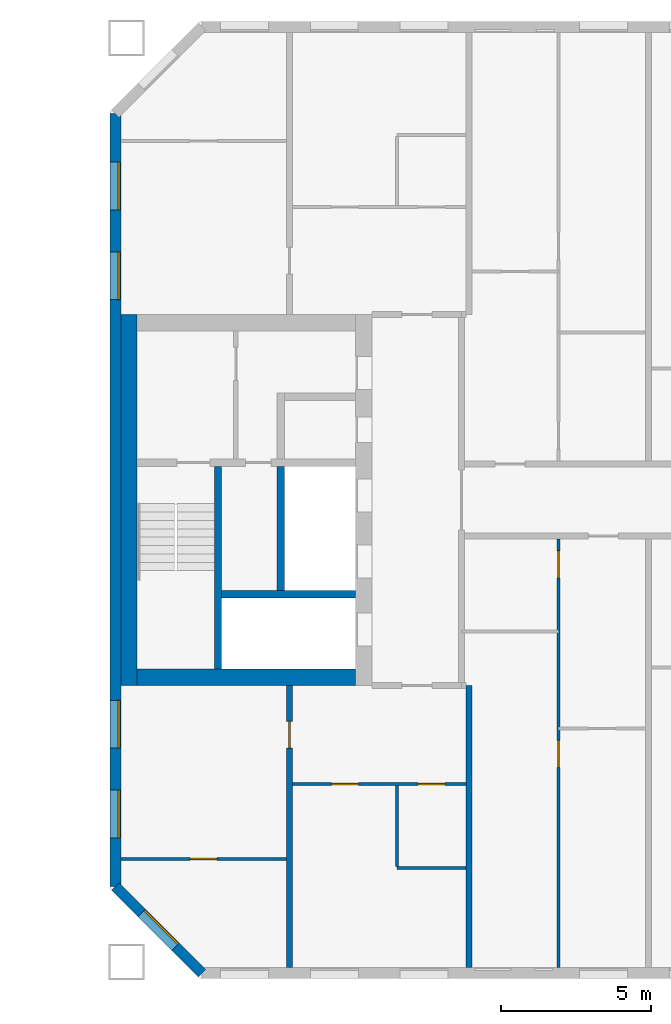
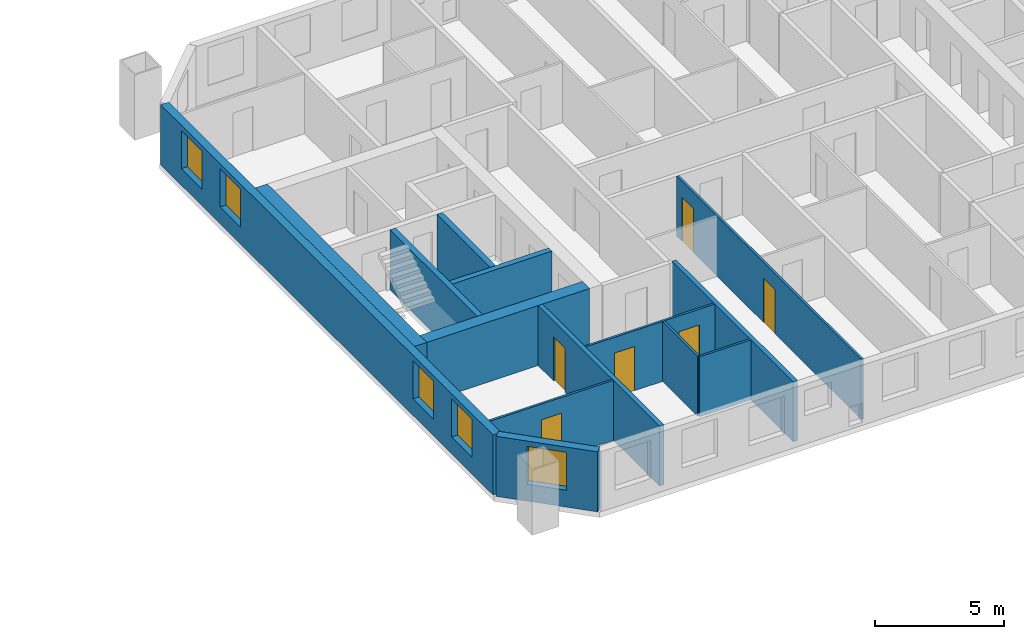
# One storey, part 9 of 16: 14 walls, 6 doors, 5 windows, 11 openings.
"""IFC4 building model written with IfcOpenShell, lengths in metres."""

from ifc_helpers import new_model, si_unit, direction, frame, frame_2d, origin, place, context, subcontext, project, spatial, rectangle, extrude, material, layer, layer_set, type_object, element, fill, save


model = new_model("IFC4")

# Units and contexts
model_context = context("Model", 3, precision=1e-05, world=origin(), true_north=direction((0.0, 1.0)))
body_context = subcontext(model_context, "Body", "Model", "MODEL_VIEW")
ifc_project = project(units=[si_unit("LENGTHUNIT", "METRE"), si_unit("AREAUNIT", "SQUARE_METRE"), si_unit("VOLUMEUNIT", "CUBIC_METRE"), si_unit("PLANEANGLEUNIT", "RADIAN"), si_unit("MASSUNIT", "GRAM", prefix="KILO")], contexts=[model_context])

# Site, building, storey
site_placement = place(None, origin())
site = spatial("IfcSite", under=ifc_project, at=site_placement, CompositionType="ELEMENT")
building_placement = place(site_placement, origin())
building = spatial("IfcBuilding", under=site, at=building_placement, Name="Tuart Gate Housing", CompositionType="ELEMENT")
storey_placement = place(building_placement, frame((0.0, 0.0, 133.0)))
storey = spatial("IfcBuildingStorey", under=building, at=storey_placement, Name="L37", CompositionType="ELEMENT", Elevation=133.0)

# Wall, opening, window
ifc_material_1 = material(Name="Brick", Category="masonry")
ifc_layer_1 = layer(ifc_material_1, 0.360107421875)
ifc_layer_set_1 = layer_set([ifc_layer_1], Name="Brick pier and spandrel wall 360")
wall_type_1 = type_object("IfcWallType", Name="Brick pier and spandrel wall 360", PredefinedType="STANDARD", material=ifc_layer_set_1)
wall_1_placement = place(storey_placement, frame((131.179931640625, 57.07470703125, 0.0), z_axis=(0.0, 0.0, 1.0), x_axis=(0.707106781187, -0.707106781187, 0.0)))
wall_1 = element("IfcWall", 1, at=wall_1_placement, inside=storey, type_object=wall_type_1, Name="External wall B-SW L37", PredefinedType="STANDARD", context=body_context, shape_type="SweptSolid", body=[
    extrude(rectangle(XDim=4.09375, YDim=0.360107421875, at=frame_2d((2.046875, 0.0))), origin(), (0.0, 0.0, 1.0), 2.85009765625),
])
opening_1_placement = place(wall_1_placement, frame((1.2470703125, 0.0, 0.800048828125)))
opening_1 = element("IfcOpeningElement", 2, at=opening_1_placement, cuts=wall_1, Name="Opening W1", PredefinedType="OPENING", context=body_context, shape_type="SweptSolid", body=[
    extrude(rectangle(XDim=1.60009765625, YDim=1.800048828125, at=frame_2d((0.800048828125, 0.89990234375))), frame((0.0, 0.18994140625, 0.0), z_axis=(0.0, -1.0, 0.0), x_axis=(1.0, 0.0, 0.0)), (0.0, 0.0, 1.0), 0.380126953125),
])
ifc_material_2 = material(Name="Aluminium frame with clear glass", Category="aluminium")
window_type = type_object("IfcWindowType", Name="Punched window 1600 x 1800", PartitioningType="SINGLE_PANEL", PredefinedType="WINDOW", material=ifc_material_2)
window_1_placement = place(opening_1_placement, origin())
window_1 = element("IfcWindow", 3, at=window_1_placement, inside=storey, type_object=window_type, Name="Window W1", OverallHeight=1.800048828125, OverallWidth=1.60009765625, PartitioningType="SINGLE_PANEL", PredefinedType="WINDOW", context=body_context, shape_type="SweptSolid", body=[
    extrude(rectangle(XDim=1.60009765625, YDim=1.800048828125, at=frame_2d((0.800048828125, 0.89990234375))), frame((0.0, 0.150146484375, 0.0), z_axis=(0.0, -1.0, 0.0), x_axis=(1.0, 0.0, 0.0)), (0.0, 0.0, 1.0), 0.06005859375),
])
fill(opening_1, window_1)

# Wall, openings, windows
wall_2_placement = place(storey_placement, frame((131.179931640625, 82.92529296875, 0.0), z_axis=(0.0, 0.0, 1.0), x_axis=(0.0, -1.0, 0.0)))
wall_2 = element("IfcWall", 4, at=wall_2_placement, inside=storey, type_object=wall_type_1, Name="External wall B-W L37", PredefinedType="STANDARD", context=body_context, shape_type="SweptSolid", body=[
    extrude(rectangle(XDim=25.850830078125, YDim=0.360107421875, at=frame_2d((12.92529296875, 0.0))), origin(), (0.0, 0.0, 1.0), 2.85009765625),
])
opening_2_placement = place(wall_2_placement, frame((1.62548828125, 0.0, 0.800048828125)))
opening_2 = element("IfcOpeningElement", 5, at=opening_2_placement, cuts=wall_2, Name="Opening W1", PredefinedType="OPENING", context=body_context, shape_type="SweptSolid", body=[
    extrude(rectangle(XDim=1.60009765625, YDim=1.800048828125, at=frame_2d((0.800048828125, 0.89990234375))), frame((0.0, 0.18994140625, 0.0), z_axis=(0.0, -1.0, 0.0), x_axis=(1.0, 0.0, 0.0)), (0.0, 0.0, 1.0), 0.380126953125),
])
opening_3_placement = place(wall_2_placement, frame((4.62548828125, 0.0, 0.800048828125)))
opening_3 = element("IfcOpeningElement", 6, at=opening_3_placement, cuts=wall_2, Name="Opening W1", PredefinedType="OPENING", context=body_context, shape_type="SweptSolid", body=[
    extrude(rectangle(XDim=1.60009765625, YDim=1.800048828125, at=frame_2d((0.800048828125, 0.89990234375))), frame((0.0, 0.18994140625, 0.0), z_axis=(0.0, -1.0, 0.0), x_axis=(1.0, 0.0, 0.0)), (0.0, 0.0, 1.0), 0.380126953125),
])
opening_4_placement = place(wall_2_placement, frame((19.62548828125, 0.0, 0.800048828125)))
opening_4 = element("IfcOpeningElement", 7, at=opening_4_placement, cuts=wall_2, Name="Opening W1", PredefinedType="OPENING", context=body_context, shape_type="SweptSolid", body=[
    extrude(rectangle(XDim=1.60009765625, YDim=1.800048828125, at=frame_2d((0.800048828125, 0.89990234375))), frame((0.0, 0.18994140625, 0.0), z_axis=(0.0, -1.0, 0.0), x_axis=(1.0, 0.0, 0.0)), (0.0, 0.0, 1.0), 0.380126953125),
])
opening_5_placement = place(wall_2_placement, frame((22.62548828125, 0.0, 0.800048828125)))
opening_5 = element("IfcOpeningElement", 8, at=opening_5_placement, cuts=wall_2, Name="Opening W1", PredefinedType="OPENING", context=body_context, shape_type="SweptSolid", body=[
    extrude(rectangle(XDim=1.60009765625, YDim=1.800048828125, at=frame_2d((0.800048828125, 0.89990234375))), frame((0.0, 0.18994140625, 0.0), z_axis=(0.0, -1.0, 0.0), x_axis=(1.0, 0.0, 0.0)), (0.0, 0.0, 1.0), 0.380126953125),
])
window_2_placement = place(opening_2_placement, origin())
window_2 = element("IfcWindow", 9, at=window_2_placement, inside=storey, type_object=window_type, Name="Window W1", OverallHeight=1.800048828125, OverallWidth=1.60009765625, PartitioningType="SINGLE_PANEL", PredefinedType="WINDOW", context=body_context, shape_type="SweptSolid", body=[
    extrude(rectangle(XDim=1.60009765625, YDim=1.800048828125, at=frame_2d((0.800048828125, 0.89990234375))), frame((0.0, 0.150146484375, 0.0), z_axis=(0.0, -1.0, 0.0), x_axis=(1.0, 0.0, 0.0)), (0.0, 0.0, 1.0), 0.06005859375),
])
fill(opening_2, window_2)
window_3_placement = place(opening_3_placement, origin())
window_3 = element("IfcWindow", 10, at=window_3_placement, inside=storey, type_object=window_type, Name="Window W1", OverallHeight=1.800048828125, OverallWidth=1.60009765625, PartitioningType="SINGLE_PANEL", PredefinedType="WINDOW", context=body_context, shape_type="SweptSolid", body=[
    extrude(rectangle(XDim=1.60009765625, YDim=1.800048828125, at=frame_2d((0.800048828125, 0.89990234375))), frame((0.0, 0.150146484375, 0.0), z_axis=(0.0, -1.0, 0.0), x_axis=(1.0, 0.0, 0.0)), (0.0, 0.0, 1.0), 0.06005859375),
])
fill(opening_3, window_3)
window_4_placement = place(opening_4_placement, origin())
window_4 = element("IfcWindow", 11, at=window_4_placement, inside=storey, type_object=window_type, Name="Window W1", OverallHeight=1.800048828125, OverallWidth=1.60009765625, PartitioningType="SINGLE_PANEL", PredefinedType="WINDOW", context=body_context, shape_type="SweptSolid", body=[
    extrude(rectangle(XDim=1.60009765625, YDim=1.800048828125, at=frame_2d((0.800048828125, 0.89990234375))), frame((0.0, 0.150146484375, 0.0), z_axis=(0.0, -1.0, 0.0), x_axis=(1.0, 0.0, 0.0)), (0.0, 0.0, 1.0), 0.06005859375),
])
fill(opening_4, window_4)
window_5_placement = place(opening_5_placement, origin())
window_5 = element("IfcWindow", 12, at=window_5_placement, inside=storey, type_object=window_type, Name="Window W1", OverallHeight=1.800048828125, OverallWidth=1.60009765625, PartitioningType="SINGLE_PANEL", PredefinedType="WINDOW", context=body_context, shape_type="SweptSolid", body=[
    extrude(rectangle(XDim=1.60009765625, YDim=1.800048828125, at=frame_2d((0.800048828125, 0.89990234375))), frame((0.0, 0.150146484375, 0.0), z_axis=(0.0, -1.0, 0.0), x_axis=(1.0, 0.0, 0.0)), (0.0, 0.0, 1.0), 0.06005859375),
])
fill(opening_5, window_5)

# Walls
ifc_material_3 = material(Name="Concrete C50", Category="concrete")
ifc_layer_2 = layer(ifc_material_3, 0.25)
ifc_layer_set_2 = layer_set([ifc_layer_2], Name="Core wall 250 C50")
wall_type_2 = type_object("IfcWallType", Name="Core wall 250 C50", PredefinedType="SHEAR", material=ifc_layer_set_2)
wall_3_placement = place(storey_placement, frame((139.2099609375, 66.85009765625, 0.0), z_axis=(0.0, 0.0, 1.0), x_axis=(-1.0, 0.0, 0.0)))
element("IfcWall", 13, at=wall_3_placement, inside=storey, type_object=wall_type_2, Name="Core wall BG.1", PredefinedType="SHEAR", context=body_context, shape_type="SweptSolid", body=[
    extrude(rectangle(XDim=4.474853515625, YDim=0.25, at=frame_2d((2.2373046875, 0.0))), origin(), (0.0, 0.0, 1.0), 2.85009765625),
])
wall_4_placement = place(storey_placement, frame((136.7099609375, 66.97509765625, 0.0), z_axis=(0.0, 0.0, 1.0), x_axis=(0.0, 1.0, 0.0)))
element("IfcWall", 14, at=wall_4_placement, inside=storey, type_object=wall_type_2, Name="Core wall BG.4", PredefinedType="SHEAR", context=body_context, shape_type="SweptSolid", body=[
    extrude(rectangle(XDim=4.14990234375, YDim=0.25, at=frame_2d((2.074951171875, 0.0))), origin(), (0.0, 0.0, 1.0), 2.85009765625),
])
wall_5_placement = place(storey_placement, frame((134.610107421875, 64.35009765625, 0.0), z_axis=(0.0, 0.0, 1.0), x_axis=(0.0, 1.0, 0.0)))
element("IfcWall", 15, at=wall_5_placement, inside=storey, type_object=wall_type_2, Name="Core wall BG.7", PredefinedType="SHEAR", context=body_context, shape_type="SweptSolid", body=[
    extrude(rectangle(XDim=6.77490234375, YDim=0.25, at=frame_2d((3.387451171875, 0.0))), origin(), (0.0, 0.0, 1.0), 2.85009765625),
])
ifc_material_4 = material(Name="Concrete C50", Category="concrete")
ifc_layer_3 = layer(ifc_material_4, 0.550048828125)
ifc_layer_set_3 = layer_set([ifc_layer_3], Name="Core wall 550 C50")
wall_type_3 = type_object("IfcWallType", Name="Core wall 550 C50", PredefinedType="SHEAR", material=ifc_layer_set_3)
wall_6_placement = place(storey_placement, frame((131.635009765625, 63.800048828125, 0.0), z_axis=(0.0, 0.0, 1.0), x_axis=(0.0, 1.0, 0.0)))
element("IfcWall", 16, at=wall_6_placement, inside=storey, type_object=wall_type_3, Name="Core wall BG back", PredefinedType="SHEAR", context=body_context, shape_type="SweptSolid", body=[
    extrude(rectangle(XDim=12.39990234375, YDim=0.550048828125, at=frame_2d((6.199951171875, 0.0))), origin(), (0.0, 0.0, 1.0), 2.85009765625),
])
wall_7_placement = place(storey_placement, frame((139.2099609375, 64.074951171875, 0.0), z_axis=(0.0, 0.0, 1.0), x_axis=(-1.0, 0.0, 0.0)))
element("IfcWall", 17, at=wall_7_placement, inside=storey, type_object=wall_type_3, Name="Core wall BG south", PredefinedType="SHEAR", context=body_context, shape_type="SweptSolid", body=[
    extrude(rectangle(XDim=7.300048828125, YDim=0.550048828125, at=frame_2d((3.64990234375, 0.0))), origin(), (0.0, 0.0, 1.0), 2.85009765625),
])
ifc_material_5 = material(Name="Gypsum board on steel studs", Category="steel")
ifc_layer_4 = layer(ifc_material_5, 0.10009765625)
ifc_layer_set_4 = layer_set([ifc_layer_4], Name="Partition 100")
wall_type_4 = type_object("IfcWallType", Name="Partition 100", PredefinedType="PARTITIONING", material=ifc_layer_set_4)
wall_8_placement = place(storey_placement, frame((140.60009765625, 57.699951171875, 0.0), z_axis=(0.0, 0.0, 1.0), x_axis=(1.0, 0.0, 0.0)))
element("IfcWall", 18, at=wall_8_placement, inside=storey, type_object=wall_type_4, Name="Partition 100", PredefinedType="PARTITIONING", context=body_context, shape_type="SweptSolid", body=[
    extrude(rectangle(XDim=2.2998046875, YDim=0.10009765625, at=frame_2d((1.14990234375, 0.0))), origin(), (0.0, 0.0, 1.0), 2.85009765625),
])

# Wall, opening, door
wall_9_placement = place(storey_placement, frame((131.360107421875, 58.0, 0.0), z_axis=(0.0, 0.0, 1.0), x_axis=(1.0, 0.0, 0.0)))
wall_9 = element("IfcWall", 19, at=wall_9_placement, inside=storey, type_object=wall_type_4, Name="Partition 100", PredefinedType="PARTITIONING", context=body_context, shape_type="SweptSolid", body=[
    extrude(rectangle(XDim=5.539794921875, YDim=0.10009765625, at=frame_2d((2.77001953125, 0.0))), origin(), (0.0, 0.0, 1.0), 2.85009765625),
])
opening_6_placement = place(wall_9_placement, frame((2.320068359375, 0.0, 0.0)))
opening_6 = element("IfcOpeningElement", 20, at=opening_6_placement, cuts=wall_9, Name="Opening D1513", PredefinedType="OPENING", context=body_context, shape_type="SweptSolid", body=[
    extrude(rectangle(XDim=0.89990234375, YDim=2.10009765625, at=frame_2d((0.449951171875, 1.050048828125))), frame((0.0, 0.06005859375, 0.0), z_axis=(0.0, -1.0, 0.0), x_axis=(1.0, 0.0, 0.0)), (0.0, 0.0, 1.0), 0.1201171875),
])
ifc_material_6 = material(Name="Timber door leaf in steel frame", Category="steel")
door_type_1 = type_object("IfcDoorType", Name="Internal door 900 RH", OperationType="SINGLE_SWING_RIGHT", PredefinedType="DOOR", material=ifc_material_6)
door_1_placement = place(opening_6_placement, frame((0.89990234375, 0.0, 0.0), z_axis=(0.0, 0.0, 1.0), x_axis=(-1.0, 0.0, 0.0)))
door_1 = element("IfcDoor", 21, at=door_1_placement, inside=storey, type_object=door_type_1, Name="Internal door", OperationType="SINGLE_SWING_RIGHT", OverallHeight=2.10009765625, OverallWidth=0.89990234375, PredefinedType="DOOR", context=body_context, shape_type="SweptSolid", body=[
    extrude(rectangle(XDim=0.89990234375, YDim=2.10009765625, at=frame_2d((0.449951171875, 1.050048828125))), frame((0.0, 0.025146484375, 0.0), z_axis=(0.0, -1.0, 0.0), x_axis=(1.0, 0.0, 0.0)), (0.0, 0.0, 1.0), 0.050048828125),
])
fill(opening_6, door_1)

# Wall, openings, doors
wall_10_placement = place(storey_placement, frame((137.10009765625, 60.5, 0.0), z_axis=(0.0, 0.0, 1.0), x_axis=(1.0, 0.0, 0.0)))
wall_10 = element("IfcWall", 22, at=wall_10_placement, inside=storey, type_object=wall_type_4, Name="Partition 100", PredefinedType="PARTITIONING", context=body_context, shape_type="SweptSolid", body=[
    extrude(rectangle(XDim=5.7998046875, YDim=0.10009765625, at=frame_2d((2.89990234375, 0.0))), origin(), (0.0, 0.0, 1.0), 2.85009765625),
])
opening_7_placement = place(wall_10_placement, frame((1.300048828125, 0.0, 0.0)))
opening_7 = element("IfcOpeningElement", 23, at=opening_7_placement, cuts=wall_10, Name="Opening D1509", PredefinedType="OPENING", context=body_context, shape_type="SweptSolid", body=[
    extrude(rectangle(XDim=0.89990234375, YDim=2.10009765625, at=frame_2d((0.449951171875, 1.050048828125))), frame((0.0, 0.06005859375, 0.0), z_axis=(0.0, -1.0, 0.0), x_axis=(1.0, 0.0, 0.0)), (0.0, 0.0, 1.0), 0.1201171875),
])
opening_8_placement = place(wall_10_placement, frame((4.199951171875, 0.0, 0.0)))
opening_8 = element("IfcOpeningElement", 24, at=opening_8_placement, cuts=wall_10, Name="Opening D1508", PredefinedType="OPENING", context=body_context, shape_type="SweptSolid", body=[
    extrude(rectangle(XDim=0.89990234375, YDim=2.10009765625, at=frame_2d((0.449951171875, 1.050048828125))), frame((0.0, 0.06005859375, 0.0), z_axis=(0.0, -1.0, 0.0), x_axis=(1.0, 0.0, 0.0)), (0.0, 0.0, 1.0), 0.1201171875),
])
ifc_material_7 = material(Name="Timber door leaf in steel frame", Category="steel")
door_type_2 = type_object("IfcDoorType", Name="Bathroom door 900 RH", OperationType="SINGLE_SWING_RIGHT", PredefinedType="DOOR", material=ifc_material_7)
door_2_placement = place(opening_8_placement, frame((0.89990234375, 0.0, 0.0), z_axis=(0.0, 0.0, 1.0), x_axis=(-1.0, 0.0, 0.0)))
door_2 = element("IfcDoor", 25, at=door_2_placement, inside=storey, type_object=door_type_2, Name="Bathroom door", OperationType="SINGLE_SWING_RIGHT", OverallHeight=2.10009765625, OverallWidth=0.89990234375, PredefinedType="DOOR", context=body_context, shape_type="SweptSolid", body=[
    extrude(rectangle(XDim=0.89990234375, YDim=2.10009765625, at=frame_2d((0.449951171875, 1.050048828125))), frame((0.0, 0.025146484375, 0.0), z_axis=(0.0, -1.0, 0.0), x_axis=(1.0, 0.0, 0.0)), (0.0, 0.0, 1.0), 0.050048828125),
])
fill(opening_8, door_2)
ifc_material_8 = material(Name="Timber door leaf in steel frame", Category="steel")
door_type_3 = type_object("IfcDoorType", Name="Internal door 900", OperationType="SINGLE_SWING_LEFT", PredefinedType="DOOR", material=ifc_material_8)
door_3_placement = place(opening_7_placement, frame((0.89990234375, 0.0, 0.0), z_axis=(0.0, 0.0, 1.0), x_axis=(-1.0, 0.0, 0.0)))
door_3 = element("IfcDoor", 26, at=door_3_placement, inside=storey, type_object=door_type_3, Name="Internal door", OperationType="SINGLE_SWING_LEFT", OverallHeight=2.10009765625, OverallWidth=0.89990234375, PredefinedType="DOOR", context=body_context, shape_type="SweptSolid", body=[
    extrude(rectangle(XDim=0.89990234375, YDim=2.10009765625, at=frame_2d((0.449951171875, 1.050048828125))), frame((0.0, 0.025146484375, 0.0), z_axis=(0.0, -1.0, 0.0), x_axis=(1.0, 0.0, 0.0)), (0.0, 0.0, 1.0), 0.050048828125),
])
fill(opening_7, door_3)

# Wall
wall_11_placement = place(storey_placement, frame((140.60009765625, 57.75, 0.0), z_axis=(0.0, 0.0, 1.0), x_axis=(0.0, 1.0, 0.0)))
element("IfcWall", 27, at=wall_11_placement, inside=storey, type_object=wall_type_4, Name="Partition 100", PredefinedType="PARTITIONING", context=body_context, shape_type="SweptSolid", body=[
    extrude(rectangle(XDim=2.699951171875, YDim=0.10009765625, at=frame_2d((1.35009765625, 0.0))), origin(), (0.0, 0.0, 1.0), 2.85009765625),
])

# Wall, openings, doors
wall_12_placement = place(storey_placement, frame((146.0, 54.360107421875, 0.0), z_axis=(0.0, 0.0, 1.0), x_axis=(0.0, 1.0, 0.0)))
wall_12 = element("IfcWall", 28, at=wall_12_placement, inside=storey, type_object=wall_type_4, Name="Partition 100", PredefinedType="PARTITIONING", context=body_context, shape_type="SweptSolid", body=[
    extrude(rectangle(XDim=14.33984375, YDim=0.10009765625, at=frame_2d((7.169921875, 0.0))), origin(), (0.0, 0.0, 1.0), 2.85009765625),
])
opening_9_placement = place(wall_12_placement, frame((6.699951171875, 0.0, 0.0)))
opening_9 = element("IfcOpeningElement", 29, at=opening_9_placement, cuts=wall_12, Name="Opening D1503", PredefinedType="OPENING", context=body_context, shape_type="SweptSolid", body=[
    extrude(rectangle(XDim=0.89990234375, YDim=2.10009765625, at=frame_2d((0.449951171875, 1.050048828125))), frame((0.0, 0.06005859375, 0.0), z_axis=(0.0, -1.0, 0.0), x_axis=(1.0, 0.0, 0.0)), (0.0, 0.0, 1.0), 0.1201171875),
])
opening_10_placement = place(wall_12_placement, frame((13.0400390625, 0.0, 0.0)))
opening_10 = element("IfcOpeningElement", 30, at=opening_10_placement, cuts=wall_12, Name="Opening D1502", PredefinedType="OPENING", context=body_context, shape_type="SweptSolid", body=[
    extrude(rectangle(XDim=0.89990234375, YDim=2.10009765625, at=frame_2d((0.449951171875, 1.050048828125))), frame((0.0, 0.06005859375, 0.0), z_axis=(0.0, -1.0, 0.0), x_axis=(1.0, 0.0, 0.0)), (0.0, 0.0, 1.0), 0.1201171875),
])
door_4_placement = place(opening_10_placement, origin())
door_4 = element("IfcDoor", 31, at=door_4_placement, inside=storey, type_object=door_type_2, Name="Bathroom door", OperationType="SINGLE_SWING_RIGHT", OverallHeight=2.10009765625, OverallWidth=0.89990234375, PredefinedType="DOOR", context=body_context, shape_type="SweptSolid", body=[
    extrude(rectangle(XDim=0.89990234375, YDim=2.10009765625, at=frame_2d((0.449951171875, 1.050048828125))), frame((0.0, 0.02490234375, 0.0), z_axis=(0.0, -1.0, 0.0), x_axis=(1.0, 0.0, 0.0)), (0.0, 0.0, 1.0), 0.050048828125),
])
fill(opening_10, door_4)
door_5_placement = place(opening_9_placement, origin())
door_5 = element("IfcDoor", 32, at=door_5_placement, inside=storey, type_object=door_type_1, Name="Internal door", OperationType="SINGLE_SWING_RIGHT", OverallHeight=2.10009765625, OverallWidth=0.89990234375, PredefinedType="DOOR", context=body_context, shape_type="SweptSolid", body=[
    extrude(rectangle(XDim=0.89990234375, YDim=2.10009765625, at=frame_2d((0.449951171875, 1.050048828125))), frame((0.0, 0.02490234375, 0.0), z_axis=(0.0, -1.0, 0.0), x_axis=(1.0, 0.0, 0.0)), (0.0, 0.0, 1.0), 0.050048828125),
])
fill(opening_9, door_5)

# Wall, opening, door
ifc_material_9 = material(Name="Concrete C40", Category="concrete")
ifc_layer_5 = layer(ifc_material_9, 0.199951171875)
ifc_layer_set_5 = layer_set([ifc_layer_5], Name="Party wall concrete C40 200")
wall_type_5 = type_object("IfcWallType", Name="Party wall concrete C40 200", PredefinedType="SOLIDWALL", material=ifc_layer_set_5)
wall_13_placement = place(storey_placement, frame((137.0, 54.360107421875, 0.0), z_axis=(0.0, 0.0, 1.0), x_axis=(0.0, 1.0, 0.0)))
wall_13 = element("IfcWall", 33, at=wall_13_placement, inside=storey, type_object=wall_type_5, Name="Party wall concrete C40 200", PredefinedType="SOLIDWALL", context=body_context, shape_type="SweptSolid", body=[
    extrude(rectangle(XDim=9.43994140625, YDim=0.199951171875, at=frame_2d((4.719970703125, 0.0))), origin(), (0.0, 0.0, 1.0), 2.85009765625),
])
opening_11_placement = place(wall_13_placement, frame((7.340087890625, 0.0, 0.0)))
opening_11 = element("IfcOpeningElement", 34, at=opening_11_placement, cuts=wall_13, Name="Opening D1512", PredefinedType="OPENING", context=body_context, shape_type="SweptSolid", body=[
    extrude(rectangle(XDim=0.89990234375, YDim=2.10009765625, at=frame_2d((0.449951171875, 1.050048828125))), frame((0.0, 0.10986328125, 0.0), z_axis=(0.0, -1.0, 0.0), x_axis=(1.0, 0.0, 0.0)), (0.0, 0.0, 1.0), 0.219970703125),
])
door_6_placement = place(opening_11_placement, frame((0.89990234375, 0.0, 0.0), z_axis=(0.0, 0.0, 1.0), x_axis=(-1.0, 0.0, 0.0)))
door_6 = element("IfcDoor", 35, at=door_6_placement, inside=storey, type_object=door_type_1, Name="Internal door", OperationType="SINGLE_SWING_RIGHT", OverallHeight=2.10009765625, OverallWidth=0.89990234375, PredefinedType="DOOR", context=body_context, shape_type="SweptSolid", body=[
    extrude(rectangle(XDim=0.89990234375, YDim=2.10009765625, at=frame_2d((0.449951171875, 1.050048828125))), frame((0.0, 0.025146484375, 0.0), z_axis=(0.0, -1.0, 0.0), x_axis=(1.0, 0.0, 0.0)), (0.0, 0.0, 1.0), 0.050048828125),
])
fill(opening_11, door_6)

# Wall
wall_14_placement = place(storey_placement, frame((143.0, 54.360107421875, 0.0), z_axis=(0.0, 0.0, 1.0), x_axis=(0.0, 1.0, 0.0)))
element("IfcWall", 36, at=wall_14_placement, inside=storey, type_object=wall_type_5, Name="Party wall concrete C40 200", PredefinedType="SOLIDWALL", context=body_context, shape_type="SweptSolid", body=[
    extrude(rectangle(XDim=9.43994140625, YDim=0.199951171875, at=frame_2d((4.719970703125, 0.0))), origin(), (0.0, 0.0, 1.0), 2.85009765625),
])

save(model, "model.ifc")
